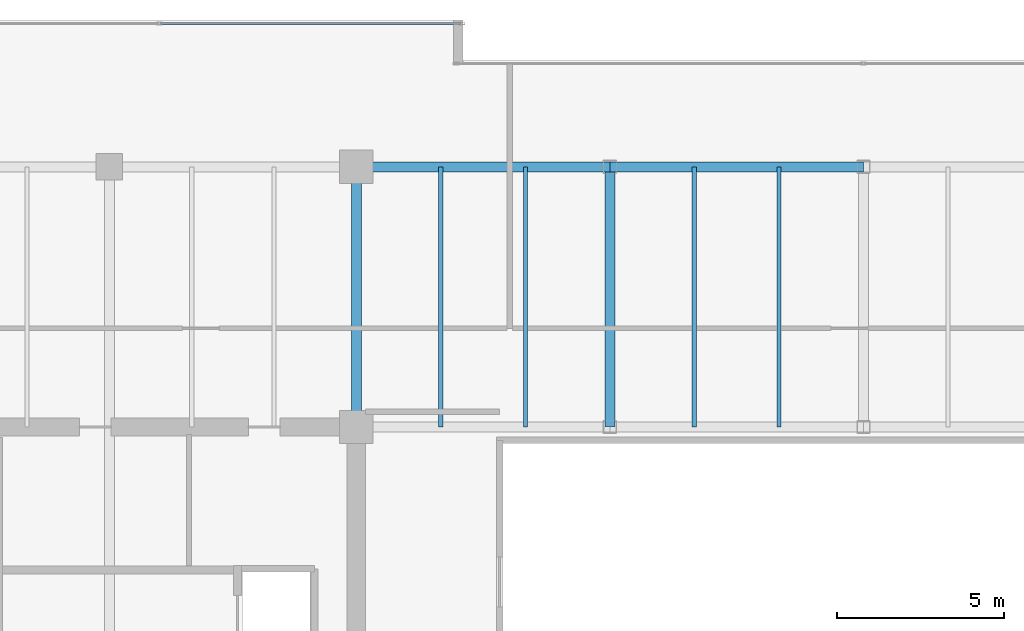
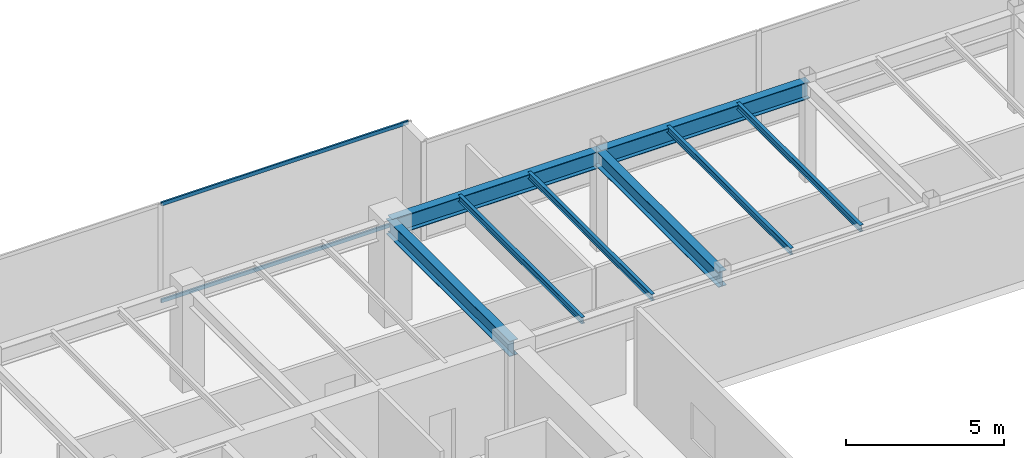
# One storey, part 16 of 33: 8 beams, 2 members, 1 element without a shape of its own.
"""IFC4 building model written with IfcOpenShell, lengths in metres."""

from ifc_helpers import new_model, si_unit, direction, frame, origin, origin_2d, place, context, subcontext, project, spatial, hollow_rectangle, i_section, extrude, source, transform, mapped, material, layer, layer_set, material_profile, profile_set, type_object, type_shapes, element, aggregate, save


model = new_model("IFC4")

# Units and contexts
model_context = context("Model", 3, precision=1e-05, world=origin(), true_north=direction((0.0, 1.0)))
body_context = subcontext(model_context, "Body", "Model", "MODEL_VIEW")
ifc_project = project(units=[si_unit("LENGTHUNIT", "METRE"), si_unit("AREAUNIT", "SQUARE_METRE"), si_unit("VOLUMEUNIT", "CUBIC_METRE"), si_unit("PLANEANGLEUNIT", "RADIAN"), si_unit("MASSUNIT", "GRAM", prefix="KILO")], contexts=[model_context])

# Site, building, storey
site_placement = place(None, origin())
site = spatial("IfcSite", under=ifc_project, at=site_placement, CompositionType="ELEMENT")
building_placement = place(site_placement, origin())
building = spatial("IfcBuilding", under=site, at=building_placement, Name="Haelvirn Gate Laboratories", CompositionType="ELEMENT")
storey_placement = place(building_placement, frame((0.0, 0.0, 267.0)))
storey = spatial("IfcBuildingStorey", under=building, at=storey_placement, Name="L64", CompositionType="ELEMENT", Elevation=267.0)

# Beams
ifc_material_1 = material(Name="Steel SM355", Category="steel")
ifc_material_profile_1 = material_profile(ifc_material_1, i_section(OverallWidth=0.300048828125, OverallDepth=0.587890625, WebThickness=0.011962890625, FlangeThickness=0.02001953125, at=origin_2d()), Name="H-588x300x12x20")
ifc_profile_set_1 = profile_set([ifc_material_profile_1], Name="Steel SM355")
beam_type_1 = type_object("IfcBeamType", Name="BM-G-588", PredefinedType="BEAM", material=ifc_profile_set_1)
shared_shape_1 = source(origin(), body_context, "Body", "SweptSolid", [
    extrude(i_section(OverallWidth=0.300048828125, OverallDepth=0.587890625, WebThickness=0.011962890625, FlangeThickness=0.02001953125, at=origin_2d()), origin(), (0.0, 0.0, 1.0), 7.800048828125),
])
type_shapes(beam_type_1, [shared_shape_1])
for number, where, z_axis, x_axis, name in (
    (1, (22.199951171875, 33.800048828125, 3.506103515625), (0.0, 1.0, 0.0), (-1.0, 0.0, 0.0), "L64 Frame Girder X22.2 (33.8-41.6)"),
    (2, (29.800048828125, 33.800048828125, 3.506103515625), (0.0, 1.0, 0.0), (-1.0, 0.0, 0.0), "L64 Frame Girder X29.8 (33.8-41.6)"),
):
    element("IfcBeam", number, at=place(storey_placement, frame(where, z_axis=z_axis, x_axis=x_axis)), inside=storey, type_object=beam_type_1, Name=name, PredefinedType="BEAM", context=body_context, shape_type="MappedRepresentation", body=[
        mapped(shared_shape_1, transform((0.0, 0.0, 0.0), scale=1.0)),
    ])
ifc_material_profile_2 = material_profile(ifc_material_1, i_section(OverallWidth=0.300048828125, OverallDepth=0.64990234375, WebThickness=0.012939453125, FlangeThickness=0.02197265625, at=origin_2d()), Name="H-650x300x13x22")
ifc_profile_set_2 = profile_set([ifc_material_profile_2], Name="Steel SM355")
beam_type_2 = type_object("IfcBeamType", Name="BM-G-650", PredefinedType="BEAM", material=ifc_profile_set_2)
shared_shape_2 = source(origin(), body_context, "Body", "SweptSolid", [
    extrude(i_section(OverallWidth=0.300048828125, OverallDepth=0.64990234375, WebThickness=0.012939453125, FlangeThickness=0.02197265625, at=origin_2d()), origin(), (0.0, 0.0, 1.0), 7.60009765625),
])
beam_1_placement = place(storey_placement, frame((22.199951171875, 41.60009765625, 3.47509765625), z_axis=(1.0, 0.0, 0.0), x_axis=(0.0, 1.0, 0.0)))
element("IfcBeam", 3, at=beam_1_placement, inside=storey, type_object=beam_type_2, Name="L64 Primary Girder Y41.6 (22.2-29.8)", PredefinedType="BEAM", context=body_context, shape_type="MappedRepresentation", body=[
    mapped(shared_shape_2, transform((0.0, 0.0, 0.0), scale=1.0)),
])
shared_shape_3 = source(origin(), body_context, "Body", "SweptSolid", [
    extrude(i_section(OverallWidth=0.300048828125, OverallDepth=0.64990234375, WebThickness=0.012939453125, FlangeThickness=0.02197265625, at=origin_2d()), origin(), (0.0, 0.0, 1.0), 7.599853515625),
])
type_shapes(beam_type_2, [shared_shape_2, shared_shape_3])
beam_2_placement = place(storey_placement, frame((29.800048828125, 41.60009765625, 3.47509765625), z_axis=(1.0, 0.0, 0.0), x_axis=(0.0, 1.0, 0.0)))
element("IfcBeam", 4, at=beam_2_placement, inside=storey, type_object=beam_type_2, Name="L64 Primary Girder Y41.6 (29.8-37.4)", PredefinedType="BEAM", context=body_context, shape_type="MappedRepresentation", body=[
    mapped(shared_shape_3, transform((0.0, 0.0, 0.0), scale=1.0)),
])
ifc_material_profile_3 = material_profile(ifc_material_1, i_section(OverallWidth=0.125, OverallDepth=0.25, WebThickness=0.006103515625, FlangeThickness=0.009033203125, at=origin_2d()), Name="H-250x125x6x9")
ifc_profile_set_3 = profile_set([ifc_material_profile_3], Name="Steel SM355")
beam_type_3 = type_object("IfcBeamType", Name="BM-J-250", PredefinedType="JOIST", material=ifc_profile_set_3)
shared_shape_4 = source(origin(), body_context, "Body", "SweptSolid", [
    extrude(i_section(OverallWidth=0.125, OverallDepth=0.25, WebThickness=0.006103515625, FlangeThickness=0.009033203125, at=origin_2d()), origin(), (0.0, 0.0, 1.0), 7.800048828125),
])
type_shapes(beam_type_3, [shared_shape_4])
for number, where, z_axis, x_axis, name in (
    (5, (24.72998046875, 33.800048828125, 3.675048828125), (0.0, 1.0, 0.0), (-1.0, 0.0, 0.0), "L64 Composite Lab Joist North X24.73"),
    (6, (27.27001953125, 33.800048828125, 3.675048828125), (0.0, 1.0, 0.0), (-1.0, 0.0, 0.0), "L64 Composite Lab Joist North X27.27"),
    (7, (32.330078125, 33.800048828125, 3.675048828125), (0.0, 1.0, 0.0), (-1.0, 0.0, 0.0), "L64 Composite Lab Joist North X32.33"),
    (8, (34.8701171875, 33.800048828125, 3.675048828125), (0.0, 1.0, 0.0), (-1.0, 0.0, 0.0), "L64 Composite Lab Joist North X34.87"),
):
    element("IfcBeam", number, at=place(storey_placement, frame(where, z_axis=z_axis, x_axis=x_axis)), inside=storey, type_object=beam_type_3, Name=name, PredefinedType="JOIST", context=body_context, shape_type="MappedRepresentation", body=[
        mapped(shared_shape_4, transform((0.0, 0.0, 0.0), scale=1.0)),
    ])

# Curtain wall, members
ifc_material_2 = material(Name="Anodised bronze unitised aluminium & triple low-E glass", Category="aluminium")
ifc_layer = layer(ifc_material_2, 0.176025390625, Name="CW-SYS-4")
ifc_layer_set = layer_set([ifc_layer], Name="Anodised bronze unitised aluminium & triple low-E glass")
curtain_wall_type = type_object("IfcCurtainWallType", Name="CW-SYS-4", PredefinedType="NOTDEFINED", material=ifc_layer_set)
curtain_wall_placement = place(storey_placement, origin())
curtain_wall = element("IfcCurtainWall", 9, at=curtain_wall_placement, inside=storey, type_object=curtain_wall_type, Name="L64 Unitised Curtain Wall CW-L64-P0-E14-1", PredefinedType="NOTDEFINED")
ifc_material_3 = material(Name="Extruded aluminium 6063-T6 (anodised bronze)", Category="aluminium")
ifc_material_profile_4 = material_profile(ifc_material_3, hollow_rectangle(XDim=0.06494140625, YDim=0.139892578125, WallThickness=0.00390625, at=origin_2d()), Name="CWT-140x65x4")
ifc_profile_set_4 = profile_set([ifc_material_profile_4], Name="Extruded aluminium 6063-T6 (anodised bronze)")
member_type = type_object("IfcMemberType", Name="CWT-T140", PredefinedType="USERDEFINED", material=ifc_profile_set_4)
shared_shape_5 = source(origin(), body_context, "Body", "SweptSolid", [
    extrude(hollow_rectangle(XDim=0.06494140625, YDim=0.139892578125, WallThickness=0.00390625, at=origin_2d()), origin(), (0.0, 0.0, 1.0), 8.9951171875),
])
type_shapes(member_type, [shared_shape_5])
member_1_placement = place(storey_placement, frame((16.3349609375, 45.89990234375, 0.032470703125), z_axis=(1.0, 0.0, 0.0), x_axis=(0.0, 1.0, 0.0)))
member_1 = element("IfcMember", 10, at=member_1_placement, type_object=member_type, Name="CW4 transom 2.1", ObjectType="TRANSOM", PredefinedType="USERDEFINED", context=body_context, shape_type="MappedRepresentation", body=[
    mapped(shared_shape_5, transform((0.0, 0.0, 0.0), scale=1.0)),
])
member_2_placement = place(storey_placement, frame((16.3349609375, 45.89990234375, 3.767578125), z_axis=(1.0, 0.0, 0.0), x_axis=(0.0, 1.0, 0.0)))
member_2 = element("IfcMember", 11, at=member_2_placement, type_object=member_type, Name="CW4 transom 2.2", ObjectType="TRANSOM", PredefinedType="USERDEFINED", context=body_context, shape_type="MappedRepresentation", body=[
    mapped(shared_shape_5, transform((0.0, 0.0, 0.0), scale=1.0)),
])
aggregate(curtain_wall, [member_1, member_2])

save(model, "model.ifc")
